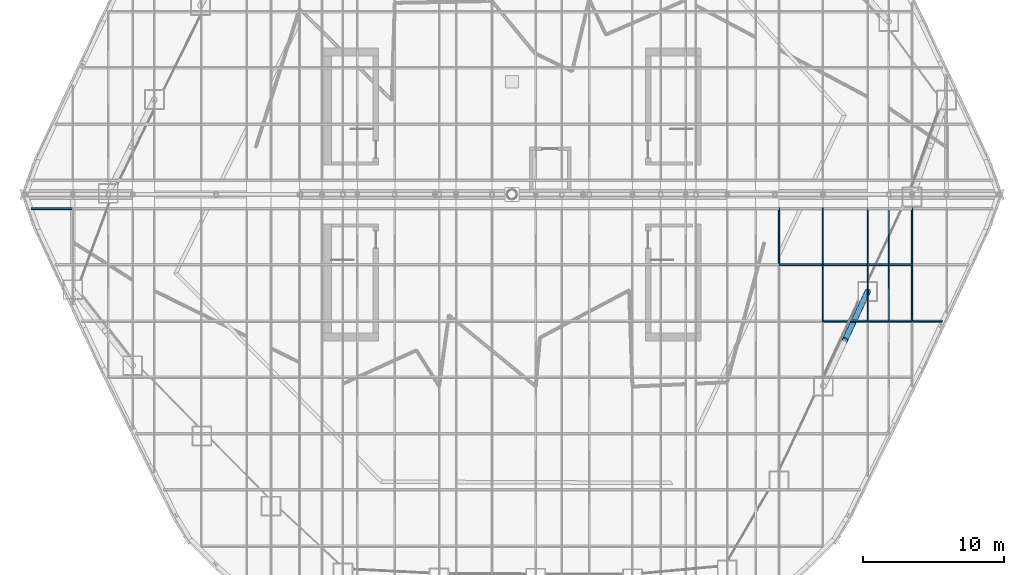
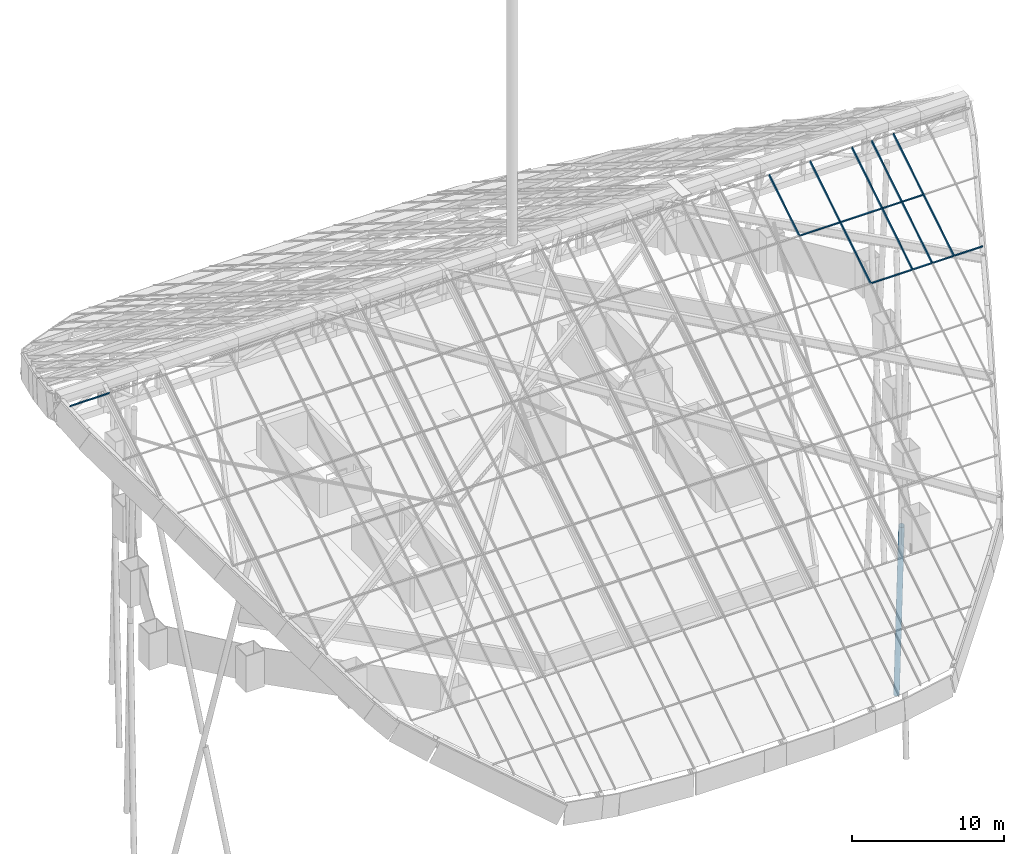
# One storey, part 9 of 38: 19 members, 11 elements without a shape of their own.
"""IFC4 building model written with IfcOpenShell, lengths in metres."""

from ifc_helpers import new_model, si_unit, direction, frame, origin, origin_2d, place, context, subcontext, project, spatial, rectangle, hollow_circle, extrude, material, layer, layer_set, material_profile, profile_set, type_object, element, aggregate, save


model = new_model("IFC4")

# Units and contexts
model_context = context("Model", 3, precision=1e-05, world=origin(), true_north=direction((0.0, 1.0)))
body_context = subcontext(model_context, "Body", "Model", "MODEL_VIEW")
ifc_project = project(units=[si_unit("LENGTHUNIT", "METRE"), si_unit("AREAUNIT", "SQUARE_METRE"), si_unit("VOLUMEUNIT", "CUBIC_METRE"), si_unit("PLANEANGLEUNIT", "RADIAN"), si_unit("MASSUNIT", "GRAM", prefix="KILO")], contexts=[model_context])

# Site, building, storey
site_placement = place(None, origin())
site = spatial("IfcSite", under=ifc_project, at=site_placement, CompositionType="ELEMENT")
building_placement = place(site_placement, origin())
building = spatial("IfcBuilding", under=site, at=building_placement, Name="Dongbaek Canopy Tower", CompositionType="ELEMENT")
storey_placement = place(building_placement, frame((0.0, 0.0, 375.800048828125)))
storey = spatial("IfcBuildingStorey", under=building, at=storey_placement, Name="Roof", CompositionType="ELEMENT", Elevation=375.800048828125)

# Member
ifc_material_1 = material(Name="Steel S355", Category="steel")
ifc_material_profile_1 = material_profile(ifc_material_1, hollow_circle(Radius=0.203125, WallThickness=0.0126953125, at=origin_2d()), Name="COLONNADE BRACE CHS 406.4x12.7 Steel S355")
ifc_profile_set_1 = profile_set([ifc_material_profile_1], Name="Steel S355")
member_type_1 = type_object("IfcMemberType", Name="COLONNADE BRACE CHS 406.4x12.7 Steel S355", PredefinedType="BRACE", material=ifc_profile_set_1)
member_1_placement = place(storey_placement, frame((25.2099609375, -6.87890625, -22.199951171875), z_axis=(-0.097498948469, -0.208201185176, 0.973214375941), x_axis=(0.905618274089, -0.424093788726, 0.0)))
element("IfcMember", 1, at=member_1_placement, inside=storey, type_object=member_type_1, Name="XBRACE:10:1", PredefinedType="BRACE", context=body_context, shape_type="SweptSolid", body=[
    extrude(hollow_circle(Radius=0.203125, WallThickness=0.0126953125, at=origin_2d()), origin(), (0.0, 0.0, 1.0), 16.641845703125),
])

# Curtain wall, member
ifc_material_2 = material(Name="Aluminium 6063-T6 pale anodised", Category="aluminium")
ifc_layer = layer(ifc_material_2, 0.199951171875)
ifc_layer_set = layer_set([ifc_layer], Name="CW-6 canopy glazing curtain wall")
curtain_wall_type = type_object("IfcCurtainWallType", Name="CW-6 canopy glazing curtain wall", PredefinedType="NOTDEFINED", material=ifc_layer_set)
curtain_wall_1_placement = place(storey_placement, origin())
curtain_wall_1 = element("IfcCurtainWall", 2, at=curtain_wall_1_placement, inside=storey, type_object=curtain_wall_type, Name="CW-6 canopy glazing south 25.1", PredefinedType="NOTDEFINED")
ifc_material_3 = material(Name="Aluminium 6063-T6 pale anodised", Category="aluminium")
ifc_material_profile_2 = material_profile(ifc_material_3, rectangle(XDim=0.080078125, YDim=0.199951171875, at=origin_2d()), Name="CW-6 mullion 80 x 200")
ifc_profile_set_2 = profile_set([ifc_material_profile_2], Name="Aluminium 6063-T6 pale anodised")
member_type_2 = type_object("IfcMemberType", Name="CW-6 mullion 80 x 200", PredefinedType="MULLION", material=ifc_profile_set_2)
member_2_placement = place(storey_placement, frame((18.925048828125, -1.0, 18.0986328125), z_axis=(0.0, -0.848068327403, -0.529886886095), x_axis=(1.0, 0.0, 0.0)))
member_2 = element("IfcMember", 3, at=member_2_placement, type_object=member_type_2, Name="CW-6 mullion S25.1.18.9", PredefinedType="MULLION", context=body_context, shape_type="SweptSolid", body=[
    extrude(rectangle(XDim=0.080078125, YDim=0.199951171875, at=origin_2d()), origin(), (0.0, 0.0, 1.0), 4.700439453125),
])
aggregate(curtain_wall_1, [member_2])

curtain_wall_2_placement = place(storey_placement, origin())
curtain_wall_2 = element("IfcCurtainWall", 4, at=curtain_wall_2_placement, inside=storey, type_object=curtain_wall_type, Name="CW-6 canopy glazing south 26.1", PredefinedType="NOTDEFINED")
member_3_placement = place(storey_placement, frame((22.035400390625, -1.0, 18.0986328125), z_axis=(0.0, -0.848068327403, -0.529886886095), x_axis=(1.0, 0.0, 0.0)))
member_3 = element("IfcMember", 5, at=member_3_placement, type_object=member_type_2, Name="CW-6 mullion S26.1.22.0", PredefinedType="MULLION", context=body_context, shape_type="SweptSolid", body=[
    extrude(rectangle(XDim=0.080078125, YDim=0.199951171875, at=origin_2d()), origin(), (0.0, 0.0, 1.0), 4.700439453125),
])

curtain_wall_3_placement = place(storey_placement, origin())
curtain_wall_3 = element("IfcCurtainWall", 6, at=curtain_wall_3_placement, inside=storey, type_object=curtain_wall_type, Name="CW-6 canopy glazing south 26.2", PredefinedType="NOTDEFINED")
member_4_placement = place(storey_placement, frame((22.035400390625, -4.986328125, 15.60791015625), z_axis=(0.0, -0.848030400431, -0.529947582262), x_axis=(1.0, 0.0, 0.0)))
member_4 = element("IfcMember", 7, at=member_4_placement, type_object=member_type_2, Name="CW-6 mullion S26.2.22.0", PredefinedType="MULLION", context=body_context, shape_type="SweptSolid", body=[
    extrude(rectangle(XDim=0.080078125, YDim=0.199951171875, at=origin_2d()), origin(), (0.0, 0.0, 1.0), 4.700439453125),
])
aggregate(curtain_wall_3, [member_4])

curtain_wall_4_placement = place(storey_placement, origin())
curtain_wall_4 = element("IfcCurtainWall", 8, at=curtain_wall_4_placement, inside=storey, type_object=curtain_wall_type, Name="CW-6 canopy glazing south 27.1", PredefinedType="NOTDEFINED")
member_5_placement = place(storey_placement, frame((25.2099609375, -1.0, 18.0986328125), z_axis=(0.0, -0.848068327403, -0.529886886095), x_axis=(1.0, 0.0, 0.0)))
member_5 = element("IfcMember", 9, at=member_5_placement, type_object=member_type_2, Name="CW-6 mullion S27.1.25.2", PredefinedType="MULLION", context=body_context, shape_type="SweptSolid", body=[
    extrude(rectangle(XDim=0.080078125, YDim=0.199951171875, at=origin_2d()), origin(), (0.0, 0.0, 1.0), 4.700439453125),
])

curtain_wall_5_placement = place(storey_placement, origin())
curtain_wall_5 = element("IfcCurtainWall", 10, at=curtain_wall_5_placement, inside=storey, type_object=curtain_wall_type, Name="CW-6 canopy glazing south 27.2", PredefinedType="NOTDEFINED")
member_6_placement = place(storey_placement, frame((25.2099609375, -4.986328125, 15.60791015625), z_axis=(0.0, -0.848030400431, -0.529947582262), x_axis=(1.0, 0.0, 0.0)))
member_6 = element("IfcMember", 11, at=member_6_placement, type_object=member_type_2, Name="CW-6 mullion S27.2.25.2", PredefinedType="MULLION", context=body_context, shape_type="SweptSolid", body=[
    extrude(rectangle(XDim=0.080078125, YDim=0.199951171875, at=origin_2d()), origin(), (0.0, 0.0, 1.0), 4.700439453125),
])

curtain_wall_6_placement = place(storey_placement, origin())
curtain_wall_6 = element("IfcCurtainWall", 12, at=curtain_wall_6_placement, inside=storey, type_object=curtain_wall_type, Name="CW-6 canopy glazing south 28.1", PredefinedType="NOTDEFINED")
member_7_placement = place(storey_placement, frame((26.702880859375, -1.0, 18.0986328125), z_axis=(0.0, -0.848068327403, -0.529886886095), x_axis=(1.0, 0.0, 0.0)))
member_7 = element("IfcMember", 13, at=member_7_placement, type_object=member_type_2, Name="CW-6 mullion S28.1.26.7", PredefinedType="MULLION", context=body_context, shape_type="SweptSolid", body=[
    extrude(rectangle(XDim=0.080078125, YDim=0.199951171875, at=origin_2d()), origin(), (0.0, 0.0, 1.0), 4.700439453125),
])

curtain_wall_7_placement = place(storey_placement, origin())
curtain_wall_7 = element("IfcCurtainWall", 14, at=curtain_wall_7_placement, inside=storey, type_object=curtain_wall_type, Name="CW-6 canopy glazing south 28.2", PredefinedType="NOTDEFINED")
member_8_placement = place(storey_placement, frame((26.702880859375, -4.986328125, 15.60791015625), z_axis=(0.0, -0.848030400431, -0.529947582262), x_axis=(1.0, 0.0, 0.0)))
member_8 = element("IfcMember", 15, at=member_8_placement, type_object=member_type_2, Name="CW-6 mullion S28.2.26.7", PredefinedType="MULLION", context=body_context, shape_type="SweptSolid", body=[
    extrude(rectangle(XDim=0.080078125, YDim=0.199951171875, at=origin_2d()), origin(), (0.0, 0.0, 1.0), 4.700439453125),
])

curtain_wall_8_placement = place(storey_placement, origin())
curtain_wall_8 = element("IfcCurtainWall", 16, at=curtain_wall_8_placement, inside=storey, type_object=curtain_wall_type, Name="CW-6 canopy glazing south 29.1", PredefinedType="NOTDEFINED")
member_9_placement = place(storey_placement, frame((28.35107421875, -1.0, 18.0986328125), z_axis=(0.0, -0.848068327403, -0.529886886095), x_axis=(1.0, 0.0, 0.0)))
member_9 = element("IfcMember", 17, at=member_9_placement, type_object=member_type_2, Name="CW-6 mullion S29.1.28.4", PredefinedType="MULLION", context=body_context, shape_type="SweptSolid", body=[
    extrude(rectangle(XDim=0.080078125, YDim=0.199951171875, at=origin_2d()), origin(), (0.0, 0.0, 1.0), 4.700439453125),
])

curtain_wall_9_placement = place(storey_placement, origin())
curtain_wall_9 = element("IfcCurtainWall", 18, at=curtain_wall_9_placement, inside=storey, type_object=curtain_wall_type, Name="CW-6 canopy glazing south 29.2", PredefinedType="NOTDEFINED")
member_10_placement = place(storey_placement, frame((28.35107421875, -4.986328125, 15.60791015625), z_axis=(0.0, -0.848030400431, -0.529947582262), x_axis=(1.0, 0.0, 0.0)))
member_10 = element("IfcMember", 19, at=member_10_placement, type_object=member_type_2, Name="CW-6 mullion S29.2.28.4", PredefinedType="MULLION", context=body_context, shape_type="SweptSolid", body=[
    extrude(rectangle(XDim=0.080078125, YDim=0.199951171875, at=origin_2d()), origin(), (0.0, 0.0, 1.0), 4.700439453125),
])

curtain_wall_10_placement = place(storey_placement, origin())
curtain_wall_10 = element("IfcCurtainWall", 20, at=curtain_wall_10_placement, inside=storey, type_object=curtain_wall_type, Name="CW-6 canopy glazing south 1.1", PredefinedType="NOTDEFINED")
ifc_material_4 = material(Name="Aluminium 6063-T6 pale anodised", Category="aluminium")
ifc_material_profile_3 = material_profile(ifc_material_4, rectangle(XDim=0.080078125, YDim=0.199951171875, at=origin_2d()), Name="CW-6 transom 80 x 200")
ifc_profile_set_3 = profile_set([ifc_material_profile_3], Name="Aluminium 6063-T6 pale anodised")
member_type_3 = type_object("IfcMemberType", Name="CW-6 transom 80 x 200", PredefinedType="USERDEFINED", material=ifc_profile_set_3)
member_11_placement = place(storey_placement, frame((-34.107421875, -1.0, 18.0986328125), z_axis=(1.0, 0.0, 0.0), x_axis=(0.0, 0.848048096156, 0.529919264233)))
member_11 = element("IfcMember", 21, at=member_11_placement, type_object=member_type_3, Name="CW-6 transom S1.1.1", ObjectType="TRANSOM", PredefinedType="USERDEFINED", context=body_context, shape_type="SweptSolid", body=[
    extrude(rectangle(XDim=0.080078125, YDim=0.199951171875, at=origin_2d()), origin(), (0.0, 0.0, 1.0), 2.978515625),
])
aggregate(curtain_wall_10, [member_11])

# Member
member_12_placement = place(storey_placement, frame((18.925048828125, -4.986328125, 15.60791015625), z_axis=(1.0, 0.0, 0.0), x_axis=(0.0, 0.848048096156, 0.529919264233)))
member_12 = element("IfcMember", 22, at=member_12_placement, type_object=member_type_3, Name="CW-6 transom S26.1.2", ObjectType="TRANSOM", PredefinedType="USERDEFINED", context=body_context, shape_type="SweptSolid", body=[
    extrude(rectangle(XDim=0.080078125, YDim=0.199951171875, at=origin_2d()), origin(), (0.0, 0.0, 1.0), 3.1103515625),
])

aggregate(curtain_wall_2, [member_3, member_12])

member_13_placement = place(storey_placement, frame((22.035400390625, -4.986328125, 15.60791015625), z_axis=(1.0, 0.0, 0.0), x_axis=(0.0, 0.848048096156, 0.529919264233)))
member_13 = element("IfcMember", 23, at=member_13_placement, type_object=member_type_3, Name="CW-6 transom S27.1.2", ObjectType="TRANSOM", PredefinedType="USERDEFINED", context=body_context, shape_type="SweptSolid", body=[
    extrude(rectangle(XDim=0.080078125, YDim=0.199951171875, at=origin_2d()), origin(), (0.0, 0.0, 1.0), 3.174560546875),
])

aggregate(curtain_wall_4, [member_5, member_13])

member_14_placement = place(storey_placement, frame((22.035400390625, -8.972412109375, 13.116943359375), z_axis=(1.0, 0.0, 0.0), x_axis=(0.0, 0.848048096156, 0.529919264233)))
member_14 = element("IfcMember", 24, at=member_14_placement, type_object=member_type_3, Name="CW-6 transom S27.2.3", ObjectType="TRANSOM", PredefinedType="USERDEFINED", context=body_context, shape_type="SweptSolid", body=[
    extrude(rectangle(XDim=0.080078125, YDim=0.199951171875, at=origin_2d()), origin(), (0.0, 0.0, 1.0), 3.174560546875),
])

aggregate(curtain_wall_5, [member_6, member_14])

member_15_placement = place(storey_placement, frame((25.2099609375, -4.986328125, 15.60791015625), z_axis=(1.0, 0.0, 0.0), x_axis=(0.0, 0.848048096156, 0.529919264233)))
member_15 = element("IfcMember", 25, at=member_15_placement, type_object=member_type_3, Name="CW-6 transom S28.1.2", ObjectType="TRANSOM", PredefinedType="USERDEFINED", context=body_context, shape_type="SweptSolid", body=[
    extrude(rectangle(XDim=0.080078125, YDim=0.199951171875, at=origin_2d()), origin(), (0.0, 0.0, 1.0), 1.492919921875),
])

aggregate(curtain_wall_6, [member_7, member_15])

member_16_placement = place(storey_placement, frame((25.2099609375, -8.972412109375, 13.116943359375), z_axis=(1.0, 0.0, 0.0), x_axis=(0.0, 0.848048096156, 0.529919264233)))
member_16 = element("IfcMember", 26, at=member_16_placement, type_object=member_type_3, Name="CW-6 transom S28.2.3", ObjectType="TRANSOM", PredefinedType="USERDEFINED", context=body_context, shape_type="SweptSolid", body=[
    extrude(rectangle(XDim=0.080078125, YDim=0.199951171875, at=origin_2d()), origin(), (0.0, 0.0, 1.0), 1.492919921875),
])

aggregate(curtain_wall_7, [member_8, member_16])

member_17_placement = place(storey_placement, frame((26.702880859375, -4.986328125, 15.60791015625), z_axis=(1.0, 0.0, 0.0), x_axis=(0.0, 0.848048096156, 0.529919264233)))
member_17 = element("IfcMember", 27, at=member_17_placement, type_object=member_type_3, Name="CW-6 transom S29.1.2", ObjectType="TRANSOM", PredefinedType="USERDEFINED", context=body_context, shape_type="SweptSolid", body=[
    extrude(rectangle(XDim=0.080078125, YDim=0.199951171875, at=origin_2d()), origin(), (0.0, 0.0, 1.0), 1.648193359375),
])

aggregate(curtain_wall_8, [member_9, member_17])

member_18_placement = place(storey_placement, frame((26.702880859375, -8.972412109375, 13.116943359375), z_axis=(1.0, 0.0, 0.0), x_axis=(0.0, 0.848048096156, 0.529919264233)))
member_18 = element("IfcMember", 28, at=member_18_placement, type_object=member_type_3, Name="CW-6 transom S29.2.3", ObjectType="TRANSOM", PredefinedType="USERDEFINED", context=body_context, shape_type="SweptSolid", body=[
    extrude(rectangle(XDim=0.080078125, YDim=0.199951171875, at=origin_2d()), origin(), (0.0, 0.0, 1.0), 1.648193359375),
])

aggregate(curtain_wall_9, [member_10, member_18])

# Curtain wall, member
curtain_wall_11_placement = place(storey_placement, origin())
curtain_wall_11 = element("IfcCurtainWall", 29, at=curtain_wall_11_placement, inside=storey, type_object=curtain_wall_type, Name="CW-6 canopy glazing south 30.2", PredefinedType="NOTDEFINED")
member_19_placement = place(storey_placement, frame((28.35107421875, -8.972412109375, 13.116943359375), z_axis=(1.0, 0.0, 0.0), x_axis=(0.0, 0.848048096156, 0.529919264233)))
member_19 = element("IfcMember", 30, at=member_19_placement, type_object=member_type_3, Name="CW-6 transom S30.2.3", ObjectType="TRANSOM", PredefinedType="USERDEFINED", context=body_context, shape_type="SweptSolid", body=[
    extrude(rectangle(XDim=0.080078125, YDim=0.199951171875, at=origin_2d()), origin(), (0.0, 0.0, 1.0), 2.172607421875),
])
aggregate(curtain_wall_11, [member_19])

save(model, "model.ifc")
